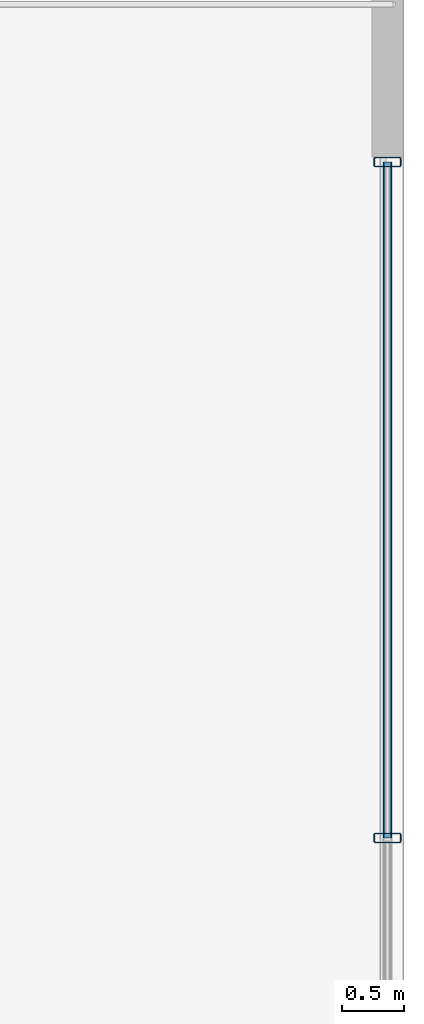
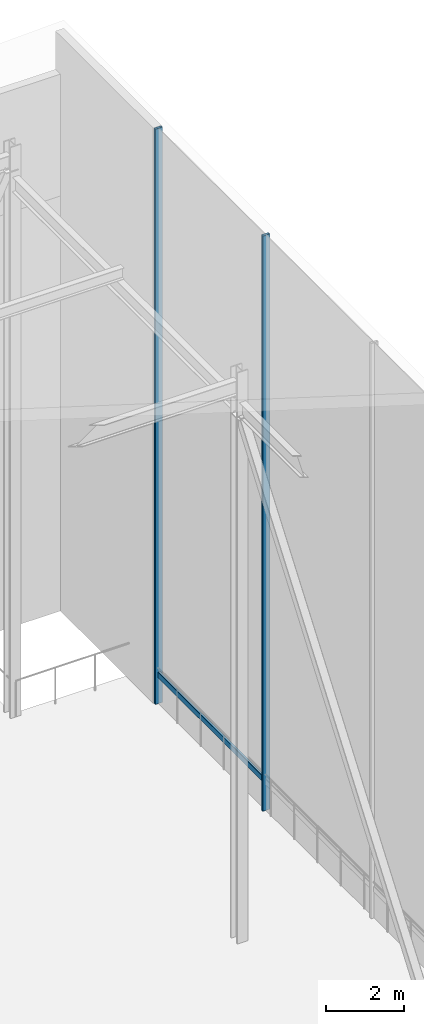
# One storey, part 34 of 39: 3 members, 1 element without a shape of its own.
"""IFC4 building model written with IfcOpenShell, lengths in metres."""

from ifc_helpers import new_model, si_unit, direction, frame, origin, origin_2d, place, context, subcontext, project, spatial, hollow_rectangle, extrude, material, layer, layer_set, material_profile, profile_set, type_object, element, aggregate, save


model = new_model("IFC4")

# Units and contexts
model_context = context("Model", 3, precision=1e-05, world=origin(), true_north=direction((0.0, 1.0)))
body_context = subcontext(model_context, "Body", "Model", "MODEL_VIEW")
ifc_project = project(units=[si_unit("LENGTHUNIT", "METRE"), si_unit("AREAUNIT", "SQUARE_METRE"), si_unit("VOLUMEUNIT", "CUBIC_METRE"), si_unit("PLANEANGLEUNIT", "RADIAN"), si_unit("MASSUNIT", "GRAM", prefix="KILO")], contexts=[model_context])

# Site, building, storey
site_placement = place(None, origin())
site = spatial("IfcSite", under=ifc_project, at=site_placement, CompositionType="ELEMENT")
building_placement = place(site_placement, origin())
building = spatial("IfcBuilding", under=site, at=building_placement, Name="Korimba Cascade Residences", CompositionType="ELEMENT")
storey_placement = place(building_placement, frame((0.0, 0.0, 264.199951171875)))
storey = spatial("IfcBuildingStorey", under=building, at=storey_placement, Name="RF", CompositionType="ELEMENT", Elevation=264.199951171875)

# Curtain wall, members
ifc_material_1 = material(Name="Anodised Aluminium Curtain Wall Framing", Category="aluminium")
ifc_layer = layer(ifc_material_1, 0.179931640625)
ifc_layer_set = layer_set([ifc_layer], Name="Anodised Aluminium Curtain Wall Framing")
curtain_wall_type = type_object("IfcCurtainWallType", Name="CW-CRNW-SYS5", PredefinedType="NOTDEFINED", material=ifc_layer_set)
curtain_wall_placement = place(storey_placement, origin())
curtain_wall = element("IfcCurtainWall", 1, at=curtain_wall_placement, inside=storey, type_object=curtain_wall_type, Name="RF Curtain Wall CW-RF-CRN-E-1", PredefinedType="NOTDEFINED")
ifc_material_2 = material(Name="Anodised Aluminium Mullion", Category="aluminium")
ifc_material_profile_1 = material_profile(ifc_material_2, hollow_rectangle(XDim=0.080078125, YDim=0.219970703125, WallThickness=0.00634765625, InnerFilletRadius=0.00634765625, OuterFilletRadius=0.0126953125, at=origin_2d()), Name="Anodised Aluminium Mullion")
ifc_profile_set_1 = profile_set([ifc_material_profile_1], Name="Anodised Aluminium Mullion")
member_type_1 = type_object("IfcMemberType", Name="CWM-MUL-220", PredefinedType="MULLION", material=ifc_profile_set_1)
member_1_placement = place(storey_placement, frame((131.875, 84.2666015625, 0.0), z_axis=(0.0, 0.0, 1.0), x_axis=(0.0, 1.0, 0.0)))
member_1 = element("IfcMember", 2, at=member_1_placement, type_object=member_type_1, Name="CW-RF-CRN-E-1 Mullion 6", PredefinedType="MULLION", context=body_context, shape_type="SweptSolid", body=[
    extrude(hollow_rectangle(XDim=0.080078125, YDim=0.219970703125, WallThickness=0.00634765625, InnerFilletRadius=0.00634765625, OuterFilletRadius=0.0126953125, at=origin_2d()), origin(), (0.0, 0.0, 1.0), 17.945556640625),
])
member_2_placement = place(storey_placement, frame((131.875, 89.760009765625, 0.0), z_axis=(0.0, 0.0, 1.0), x_axis=(0.0, 1.0, 0.0)))
member_2 = element("IfcMember", 3, at=member_2_placement, type_object=member_type_1, Name="CW-RF-CRN-E-1 Mullion 7", PredefinedType="MULLION", context=body_context, shape_type="SweptSolid", body=[
    extrude(hollow_rectangle(XDim=0.080078125, YDim=0.219970703125, WallThickness=0.00634765625, InnerFilletRadius=0.00634765625, OuterFilletRadius=0.0126953125, at=origin_2d()), origin(), (0.0, 0.0, 1.0), 17.945556640625),
])
ifc_material_3 = material(Name="Anodised Aluminium Transom", Category="aluminium")
ifc_material_profile_2 = material_profile(ifc_material_3, hollow_rectangle(XDim=0.070068359375, YDim=0.179931640625, WallThickness=0.0048828125, InnerFilletRadius=0.0048828125, OuterFilletRadius=0.010009765625, at=origin_2d()), Name="Anodised Aluminium Transom")
ifc_profile_set_2 = profile_set([ifc_material_profile_2], Name="Anodised Aluminium Transom")
member_type_2 = type_object("IfcMemberType", Name="CWM-TRN-150", PredefinedType="USERDEFINED", material=ifc_profile_set_2)
member_3_placement = place(storey_placement, frame((131.875, 84.2666015625, 0.900146484375), z_axis=(0.0, 1.0, 0.0), x_axis=(-1.0, 0.0, 0.0)))
member_3 = element("IfcMember", 4, at=member_3_placement, type_object=member_type_2, Name="CW-RF-CRN-E-1 Transom 6", ObjectType="TRANSOM", PredefinedType="USERDEFINED", context=body_context, shape_type="SweptSolid", body=[
    extrude(hollow_rectangle(XDim=0.070068359375, YDim=0.179931640625, WallThickness=0.0048828125, InnerFilletRadius=0.0048828125, OuterFilletRadius=0.010009765625, at=origin_2d()), origin(), (0.0, 0.0, 1.0), 5.493408203125),
])
aggregate(curtain_wall, [member_1, member_2, member_3])

save(model, "model.ifc")
